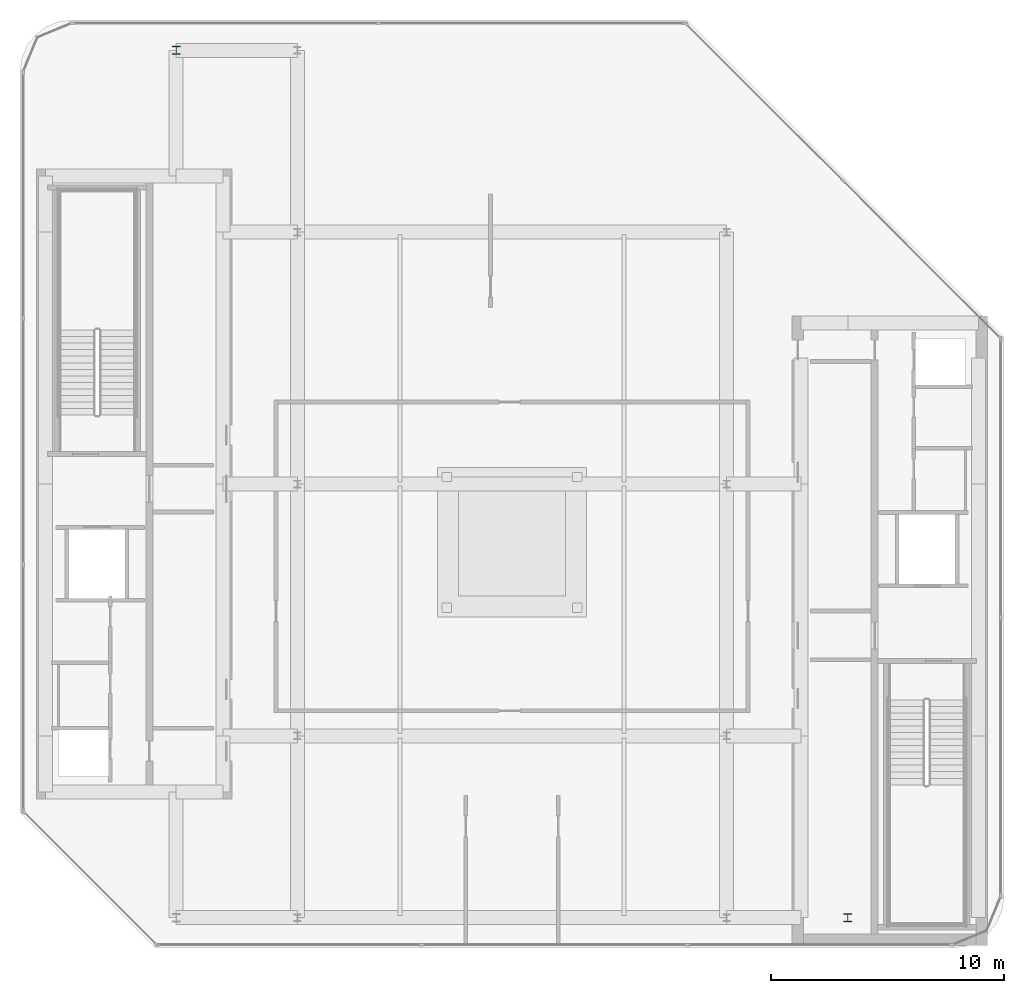
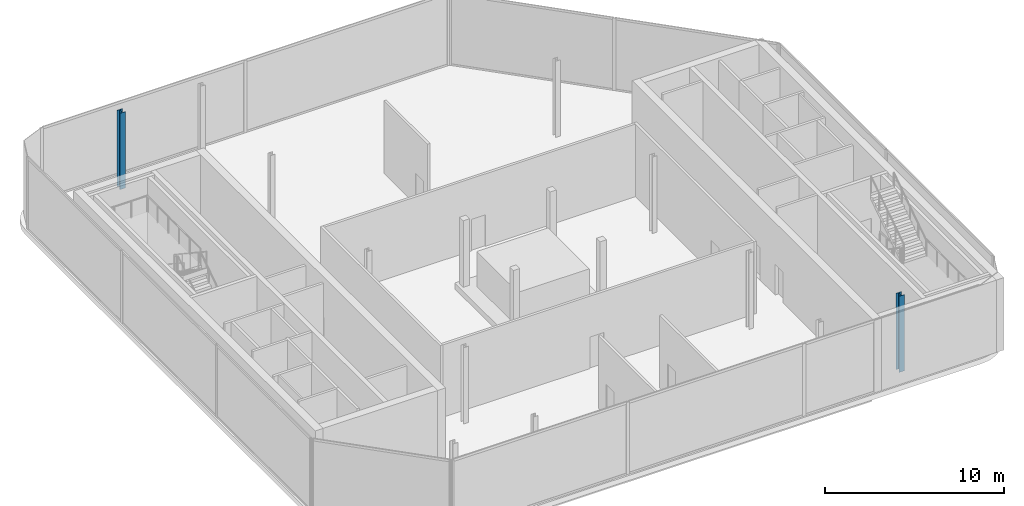
# One storey, part 2 of 14: 2 columns.
"""IFC4 building model written with IfcOpenShell, lengths in metres."""

from ifc_helpers import new_model, si_unit, direction, frame, origin, origin_2d, place, context, subcontext, project, spatial, i_section, extrude, material, material_profile, profile_set, type_object, element, save


model = new_model("IFC4")

# Units and contexts
model_context = context("Model", 3, precision=1e-05, world=origin(), true_north=direction((0.0, 1.0)))
body_context = subcontext(model_context, "Body", "Model", "MODEL_VIEW")
ifc_project = project(units=[si_unit("LENGTHUNIT", "METRE"), si_unit("AREAUNIT", "SQUARE_METRE"), si_unit("VOLUMEUNIT", "CUBIC_METRE"), si_unit("PLANEANGLEUNIT", "RADIAN"), si_unit("MASSUNIT", "GRAM", prefix="KILO")], contexts=[model_context])

# Site, building, storey
site_placement = place(None, origin())
site = spatial("IfcSite", under=ifc_project, at=site_placement, CompositionType="ELEMENT")
building_placement = place(site_placement, origin())
building = spatial("IfcBuilding", under=site, at=building_placement, Name="Khairoan Windgate Tower", CompositionType="ELEMENT")
storey_placement = place(building_placement, frame((0.0, 0.0, 325.199951171875)))
storey = spatial("IfcBuildingStorey", under=building, at=storey_placement, Name="L78", CompositionType="ELEMENT", Elevation=325.199951171875)

# Columns
ifc_material = material(Name="Steel S355", Category="steel")
ifc_material_profile = material_profile(ifc_material, i_section(OverallWidth=0.35009765625, OverallDepth=0.35009765625, WebThickness=0.011962890625, FlangeThickness=0.01904296875, FilletRadius=0.02001953125, at=origin_2d()))
ifc_profile_set = profile_set([ifc_material_profile], Name="Steel S355")
column_type = type_object("IfcColumnType", Name="Steel Column SC5 H350x350x12x19", PredefinedType="COLUMN", material=ifc_profile_set)
for number, where, z_axis, x_axis, name in (
    (1, (-14.39990234375, 18.60009765625, 0.0), (0.0, 0.0, 1.0), (1.0, 0.0, 0.0), "Column L78-11"),
    (2, (14.39990234375, -18.60009765625, 0.0), (0.0, 0.0, 1.0), (1.0, 0.0, 0.0), "Column L78-12"),
):
    element("IfcColumn", number, at=place(storey_placement, frame(where, z_axis=z_axis, x_axis=x_axis)), inside=storey, type_object=column_type, Name=name, PredefinedType="COLUMN", context=body_context, shape_type="SweptSolid", body=[
        extrude(i_section(OverallWidth=0.35009765625, OverallDepth=0.35009765625, WebThickness=0.011962890625, FlangeThickness=0.01904296875, FilletRadius=0.02001953125, at=origin_2d()), origin(), (0.0, 0.0, 1.0), 5.199951171875),
    ])

save(model, "model.ifc")
